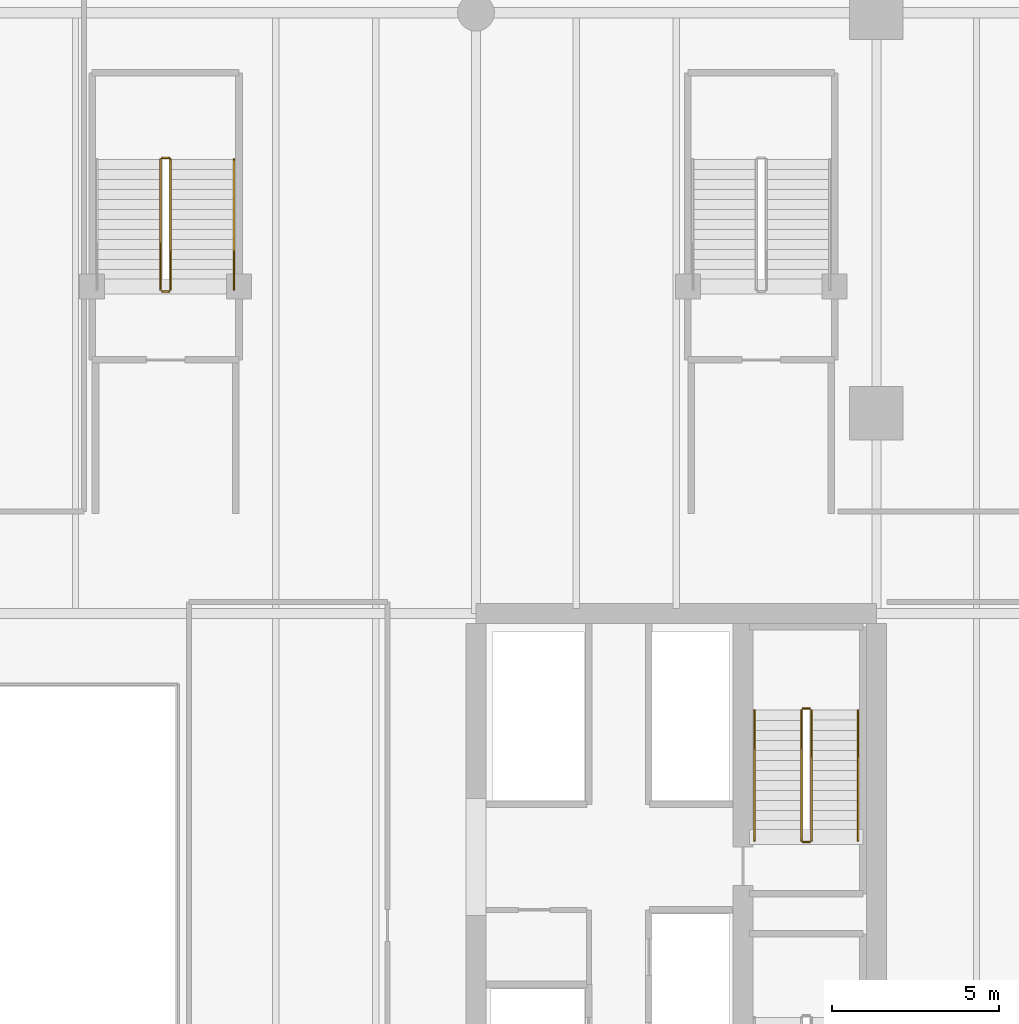
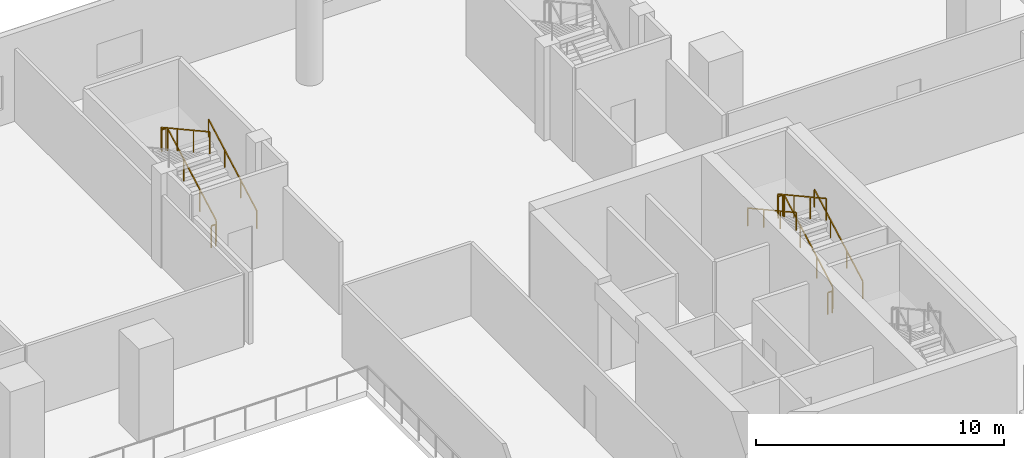
# One storey, part 25 of 27: 11 railings.
"""IFC4 building model written with IfcOpenShell, lengths in metres."""

from ifc_helpers import new_model, si_unit, direction, frame, origin, place, context, subcontext, project, spatial, rectangle, extrude, material, type_object, element, save


model = new_model("IFC4")

# Units and contexts
model_context = context("Model", 3, precision=1e-05, world=origin(), true_north=direction((0.0, 1.0)))
body_context = subcontext(model_context, "Body", "Model", "MODEL_VIEW")
ifc_project = project(units=[si_unit("LENGTHUNIT", "METRE"), si_unit("AREAUNIT", "SQUARE_METRE"), si_unit("VOLUMEUNIT", "CUBIC_METRE"), si_unit("PLANEANGLEUNIT", "RADIAN"), si_unit("MASSUNIT", "GRAM", prefix="KILO")], contexts=[model_context])

# Site, building, storey
site_placement = place(None, origin())
site = spatial("IfcSite", under=ifc_project, at=site_placement, CompositionType="ELEMENT")
building_placement = place(site_placement, origin())
building = spatial("IfcBuilding", under=site, at=building_placement, Name="Tanjung Sevakor Pilgrim Tower", CompositionType="ELEMENT")
storey_placement = place(building_placement, frame((0.0, 0.0, 14.85009765625)))
storey = spatial("IfcBuildingStorey", under=building, at=storey_placement, Name="L04", CompositionType="ELEMENT", Elevation=14.85009765625)

# Railings
ifc_material_1 = material(Name="Steel S355J2", Category="steel")
railing_type_1 = type_object("IfcRailingType", Name="RL-STAIR-GUARD", PredefinedType="GUARDRAIL", material=ifc_material_1)
railing_1_placement = place(storey_placement, frame((88.050048828125, 35.800048828125, 0.164794921875)))
element("IfcRailing", 1, at=railing_1_placement, inside=storey, type_object=railing_type_1, Name="L04 TS-E2 stair guard 1", PredefinedType="GUARDRAIL", context=body_context, shape_type="SweptSolid", body=[
    extrude(rectangle(XDim=0.0479, YDim=0.0479), frame((0.0, 0.0, 1.076171875), z_axis=(0.0, 0.876208959939, 0.481931383625), x_axis=(-1.0, 0.0, 0.0)), (0.0, 0.0, 1.0), 4.450927734375),
    extrude(rectangle(XDim=0.042, YDim=0.042), origin(), (0.0, 0.0, 1.0), 1.052001953125),
    extrude(rectangle(XDim=0.042, YDim=0.042), frame((0.0, 1.300048828125, 0.715087890625)), (0.0, 0.0, 1.0), 1.052001953125),
    extrude(rectangle(XDim=0.042, YDim=0.042), frame((0.0, 2.599853515625, 1.429931640625)), (0.0, 0.0, 1.0), 1.052001953125),
    extrude(rectangle(XDim=0.042, YDim=0.042), frame((0.0, 3.89990234375, 2.14501953125)), (0.0, 0.0, 1.0), 1.052001953125),
])
railing_2_placement = place(storey_placement, frame((88.0, 39.75, 2.309814453125)))
element("IfcRailing", 2, at=railing_2_placement, inside=storey, type_object=railing_type_1, Name="L04 TS-E2 stair guard 2", PredefinedType="GUARDRAIL", context=body_context, shape_type="SweptSolid", body=[
    extrude(rectangle(XDim=0.0479, YDim=0.0479), frame((0.0, 0.0, 1.076171875), z_axis=(-1.0, 0.0, 0.0), x_axis=(0.0, -1.0, 0.0)), (0.0, 0.0, 1.0), 0.199951171875),
    extrude(rectangle(XDim=0.042, YDim=0.042), origin(), (0.0, 0.0, 1.0), 1.052001953125),
    extrude(rectangle(XDim=0.042, YDim=0.042), frame((-0.199951171875, 0.0, 0.0)), (0.0, 0.0, 1.0), 1.052001953125),
])
railing_3_placement = place(storey_placement, frame((87.75, 39.699951171875, 2.474853515625)))
element("IfcRailing", 3, at=railing_3_placement, inside=storey, type_object=railing_type_1, Name="L04 TS-E2 stair guard 3", PredefinedType="GUARDRAIL", context=body_context, shape_type="SweptSolid", body=[
    extrude(rectangle(XDim=0.0479, YDim=0.0479), frame((0.0, 0.0, 1.076171875), z_axis=(0.0, -0.876208959939, 0.481931383625), x_axis=(1.0, 0.0, 0.0)), (0.0, 0.0, 1.0), 4.450927734375),
    extrude(rectangle(XDim=0.042, YDim=0.042), origin(), (0.0, 0.0, 1.0), 1.052001953125),
    extrude(rectangle(XDim=0.042, YDim=0.042), frame((0.0, -1.300048828125, 0.715087890625)), (0.0, 0.0, 1.0), 1.052001953125),
    extrude(rectangle(XDim=0.042, YDim=0.042), frame((0.0, -2.599853515625, 1.429931640625)), (0.0, 0.0, 1.0), 1.052001953125),
    extrude(rectangle(XDim=0.042, YDim=0.042), frame((0.0, -3.89990234375, 2.14501953125)), (0.0, 0.0, 1.0), 1.052001953125),
])
railing_4_placement = place(storey_placement, frame((88.0, 35.75, 0.0)))
element("IfcRailing", 4, at=railing_4_placement, inside=storey, type_object=railing_type_1, Name="L04 TS-E2 stair guard 4", PredefinedType="GUARDRAIL", context=body_context, shape_type="SweptSolid", body=[
    extrude(rectangle(XDim=0.0479, YDim=0.0479), frame((0.0, 0.0, 1.076171875), z_axis=(-1.0, 0.0, 0.0), x_axis=(0.0, -1.0, 0.0)), (0.0, 0.0, 1.0), 0.199951171875),
    extrude(rectangle(XDim=0.042, YDim=0.042), origin(), (0.0, 0.0, 1.0), 1.052001953125),
    extrude(rectangle(XDim=0.042, YDim=0.042), frame((-0.199951171875, 0.0, 0.0)), (0.0, 0.0, 1.0), 1.052001953125),
])
railing_5_placement = place(storey_placement, frame((68.85009765625, 52.300048828125, 0.164794921875)))
element("IfcRailing", 5, at=railing_5_placement, inside=storey, type_object=railing_type_1, Name="L04 PS-4 stair guard 1", PredefinedType="GUARDRAIL", context=body_context, shape_type="SweptSolid", body=[
    extrude(rectangle(XDim=0.0479, YDim=0.0479), frame((0.0, 0.0, 1.076171875), z_axis=(0.0, 0.876208959939, 0.481931383625), x_axis=(-1.0, 0.0, 0.0)), (0.0, 0.0, 1.0), 4.450927734375),
    extrude(rectangle(XDim=0.042, YDim=0.042), origin(), (0.0, 0.0, 1.0), 1.052001953125),
    extrude(rectangle(XDim=0.042, YDim=0.042), frame((0.0, 1.300048828125, 0.715087890625)), (0.0, 0.0, 1.0), 1.052001953125),
    extrude(rectangle(XDim=0.042, YDim=0.042), frame((0.0, 2.599853515625, 1.429931640625)), (0.0, 0.0, 1.0), 1.052001953125),
    extrude(rectangle(XDim=0.042, YDim=0.042), frame((0.0, 3.89990234375, 2.14501953125)), (0.0, 0.0, 1.0), 1.052001953125),
])
railing_6_placement = place(storey_placement, frame((68.800048828125, 56.25, 2.309814453125)))
element("IfcRailing", 6, at=railing_6_placement, inside=storey, type_object=railing_type_1, Name="L04 PS-4 stair guard 2", PredefinedType="GUARDRAIL", context=body_context, shape_type="SweptSolid", body=[
    extrude(rectangle(XDim=0.0479, YDim=0.0479), frame((0.0, 0.0, 1.076171875), z_axis=(-1.0, 0.0, 0.0), x_axis=(0.0, -1.0, 0.0)), (0.0, 0.0, 1.0), 0.199951171875),
    extrude(rectangle(XDim=0.042, YDim=0.042), origin(), (0.0, 0.0, 1.0), 1.052001953125),
    extrude(rectangle(XDim=0.042, YDim=0.042), frame((-0.199951171875, 0.0, 0.0)), (0.0, 0.0, 1.0), 1.052001953125),
])
railing_7_placement = place(storey_placement, frame((68.550048828125, 56.199951171875, 2.474853515625)))
element("IfcRailing", 7, at=railing_7_placement, inside=storey, type_object=railing_type_1, Name="L04 PS-4 stair guard 3", PredefinedType="GUARDRAIL", context=body_context, shape_type="SweptSolid", body=[
    extrude(rectangle(XDim=0.0479, YDim=0.0479), frame((0.0, 0.0, 1.076171875), z_axis=(0.0, -0.876208959939, 0.481931383625), x_axis=(1.0, 0.0, 0.0)), (0.0, 0.0, 1.0), 4.450927734375),
    extrude(rectangle(XDim=0.042, YDim=0.042), origin(), (0.0, 0.0, 1.0), 1.052001953125),
    extrude(rectangle(XDim=0.042, YDim=0.042), frame((0.0, -1.300048828125, 0.715087890625)), (0.0, 0.0, 1.0), 1.052001953125),
    extrude(rectangle(XDim=0.042, YDim=0.042), frame((0.0, -2.599853515625, 1.429931640625)), (0.0, 0.0, 1.0), 1.052001953125),
    extrude(rectangle(XDim=0.042, YDim=0.042), frame((0.0, -3.89990234375, 2.14501953125)), (0.0, 0.0, 1.0), 1.052001953125),
])
railing_8_placement = place(storey_placement, frame((68.800048828125, 52.25, 0.0)))
element("IfcRailing", 8, at=railing_8_placement, inside=storey, type_object=railing_type_1, Name="L04 PS-4 stair guard 4", PredefinedType="GUARDRAIL", context=body_context, shape_type="SweptSolid", body=[
    extrude(rectangle(XDim=0.0479, YDim=0.0479), frame((0.0, 0.0, 1.076171875), z_axis=(-1.0, 0.0, 0.0), x_axis=(0.0, -1.0, 0.0)), (0.0, 0.0, 1.0), 0.199951171875),
    extrude(rectangle(XDim=0.042, YDim=0.042), origin(), (0.0, 0.0, 1.0), 1.052001953125),
    extrude(rectangle(XDim=0.042, YDim=0.042), frame((-0.199951171875, 0.0, 0.0)), (0.0, 0.0, 1.0), 1.052001953125),
])
ifc_material_2 = material(Name="Steel S355J2", Category="steel")
railing_type_2 = type_object("IfcRailingType", Name="RL-STAIR-HAND", PredefinedType="HANDRAIL", material=ifc_material_2)
railing_9_placement = place(storey_placement, frame((89.449951171875, 35.800048828125, 0.164794921875)))
element("IfcRailing", 9, at=railing_9_placement, inside=storey, type_object=railing_type_2, Name="L04 TS-E2 stair handrail 1", PredefinedType="HANDRAIL", context=body_context, shape_type="SweptSolid", body=[
    extrude(rectangle(XDim=0.0479, YDim=0.0479), frame((0.0, 0.0, 0.8759765625), z_axis=(0.0, 0.876208959939, 0.481931383625), x_axis=(-1.0, 0.0, 0.0)), (0.0, 0.0, 1.0), 4.450927734375),
    extrude(rectangle(XDim=0.042, YDim=0.042), origin(), (0.0, 0.0, 1.0), 0.851806640625),
    extrude(rectangle(XDim=0.042, YDim=0.042), frame((0.0, 1.300048828125, 0.715087890625)), (0.0, 0.0, 1.0), 0.851806640625),
    extrude(rectangle(XDim=0.042, YDim=0.042), frame((0.0, 2.599853515625, 1.429931640625)), (0.0, 0.0, 1.0), 0.851806640625),
    extrude(rectangle(XDim=0.042, YDim=0.042), frame((0.0, 3.89990234375, 2.14501953125)), (0.0, 0.0, 1.0), 0.851806640625),
])
railing_10_placement = place(storey_placement, frame((86.35009765625, 39.699951171875, 2.474853515625)))
element("IfcRailing", 10, at=railing_10_placement, inside=storey, type_object=railing_type_2, Name="L04 TS-E2 stair handrail 2", PredefinedType="HANDRAIL", context=body_context, shape_type="SweptSolid", body=[
    extrude(rectangle(XDim=0.0479, YDim=0.0479), frame((0.0, 0.0, 0.8759765625), z_axis=(0.0, -0.876208959939, 0.481931383625), x_axis=(1.0, 0.0, 0.0)), (0.0, 0.0, 1.0), 4.450927734375),
    extrude(rectangle(XDim=0.042, YDim=0.042), origin(), (0.0, 0.0, 1.0), 0.851806640625),
    extrude(rectangle(XDim=0.042, YDim=0.042), frame((0.0, -1.300048828125, 0.715087890625)), (0.0, 0.0, 1.0), 0.851806640625),
    extrude(rectangle(XDim=0.042, YDim=0.042), frame((0.0, -2.599853515625, 1.429931640625)), (0.0, 0.0, 1.0), 0.851806640625),
    extrude(rectangle(XDim=0.042, YDim=0.042), frame((0.0, -3.89990234375, 2.14501953125)), (0.0, 0.0, 1.0), 0.851806640625),
])
railing_11_placement = place(storey_placement, frame((70.75, 52.300048828125, 0.164794921875)))
element("IfcRailing", 11, at=railing_11_placement, inside=storey, type_object=railing_type_2, Name="L04 PS-4 stair handrail 1", PredefinedType="HANDRAIL", context=body_context, shape_type="SweptSolid", body=[
    extrude(rectangle(XDim=0.0479, YDim=0.0479), frame((0.0, 0.0, 0.8759765625), z_axis=(0.0, 0.876208959939, 0.481931383625), x_axis=(-1.0, 0.0, 0.0)), (0.0, 0.0, 1.0), 4.450927734375),
    extrude(rectangle(XDim=0.042, YDim=0.042), origin(), (0.0, 0.0, 1.0), 0.851806640625),
    extrude(rectangle(XDim=0.042, YDim=0.042), frame((0.0, 1.300048828125, 0.715087890625)), (0.0, 0.0, 1.0), 0.851806640625),
    extrude(rectangle(XDim=0.042, YDim=0.042), frame((0.0, 2.599853515625, 1.429931640625)), (0.0, 0.0, 1.0), 0.851806640625),
    extrude(rectangle(XDim=0.042, YDim=0.042), frame((0.0, 3.89990234375, 2.14501953125)), (0.0, 0.0, 1.0), 0.851806640625),
])

save(model, "model.ifc")
